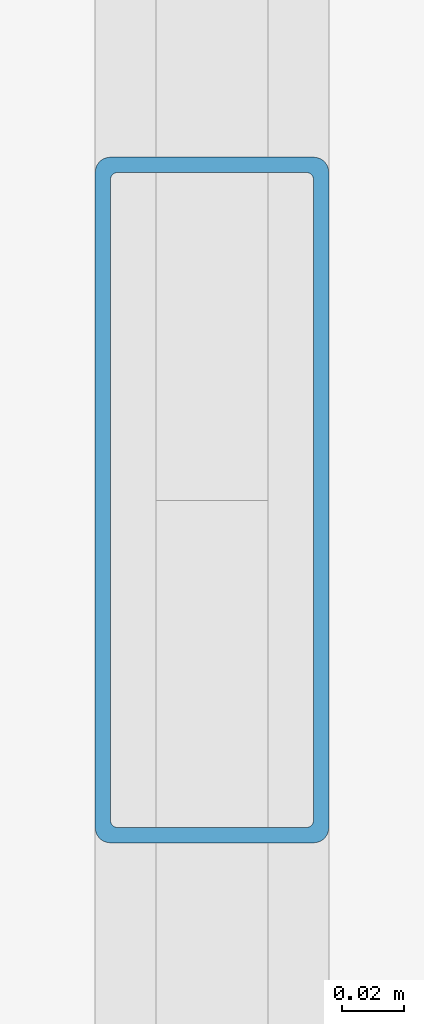
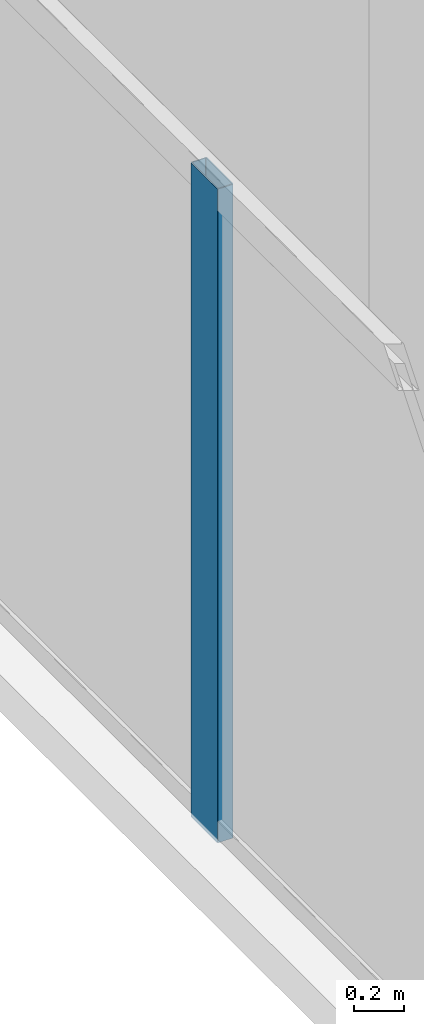
# One storey, part 4 of 17: 1 member, 1 element without a shape of its own.
"""IFC4 building model written with IfcOpenShell, lengths in metres."""

from ifc_helpers import new_model, si_unit, direction, frame, origin, origin_2d, place, context, subcontext, project, spatial, hollow_rectangle, extrude, material, material_profile, profile_set, type_object, element, aggregate, save


model = new_model("IFC4")

# Units and contexts
model_context = context("Model", 3, precision=1e-05, world=origin(), true_north=direction((0.0, 1.0)))
body_context = subcontext(model_context, "Body", "Model", "MODEL_VIEW")
ifc_project = project(units=[si_unit("LENGTHUNIT", "METRE"), si_unit("AREAUNIT", "SQUARE_METRE"), si_unit("VOLUMEUNIT", "CUBIC_METRE"), si_unit("PLANEANGLEUNIT", "RADIAN"), si_unit("MASSUNIT", "GRAM", prefix="KILO")], contexts=[model_context])

# Site, building, storey
site_placement = place(None, origin())
site = spatial("IfcSite", under=ifc_project, at=site_placement, CompositionType="ELEMENT")
building_placement = place(site_placement, origin())
building = spatial("IfcBuilding", under=site, at=building_placement, Name="Noeulbin Bourse Tower", CompositionType="ELEMENT")
storey_placement = place(building_placement, frame((0.0, 0.0, 296.89990234375)))
storey = spatial("IfcBuildingStorey", under=building, at=storey_placement, Name="L74", CompositionType="ELEMENT", Elevation=296.89990234375)

# Curtain wall, member
ifc_material_1 = material(Name="High-Selectivity Low-Iron Glazing", Category="glass")
curtain_wall_type = type_object("IfcCurtainWallType", Name="CW-SYS-4", PredefinedType="NOTDEFINED", material=ifc_material_1)
curtain_wall_placement = place(storey_placement, origin())
curtain_wall = element("IfcCurtainWall", 1, at=curtain_wall_placement, inside=storey, type_object=curtain_wall_type, Name="Unitised Curtain Wall CW-L74-W", PredefinedType="NOTDEFINED")
ifc_material_2 = material(Name="Anodised Aluminium 6063-T6", Category="aluminium")
ifc_material_profile = material_profile(ifc_material_2, hollow_rectangle(XDim=0.074951171875, YDim=0.219970703125, WallThickness=0.0048828125, InnerFilletRadius=0.00244140625, OuterFilletRadius=0.0048828125, at=origin_2d()), Name="ALU-MULL-75x220x5", Category="LoadBearing")
ifc_profile_set = profile_set([ifc_material_profile], Name="Anodised Aluminium 6063-T6")
member_type = type_object("IfcMemberType", Name="CW-SYS-4-MUL", PredefinedType="MULLION", material=ifc_profile_set)
member_placement = place(storey_placement, frame((12.219970703125, 28.97607421875, -0.02001953125), z_axis=(0.0, 0.0, 1.0), x_axis=(1.0, 0.0, 0.0)))
member = element("IfcMember", 2, at=member_placement, type_object=member_type, Name="Curtain Wall Mullion CW-L74-W-M02", PredefinedType="MULLION", context=body_context, shape_type="SweptSolid", body=[
    extrude(hollow_rectangle(XDim=0.074951171875, YDim=0.219970703125, WallThickness=0.0048828125, InnerFilletRadius=0.00244140625, OuterFilletRadius=0.0048828125, at=origin_2d()), origin(), (0.0, 0.0, 1.0), 3.22021484375),
])
aggregate(curtain_wall, [member])

save(model, "model.ifc")
